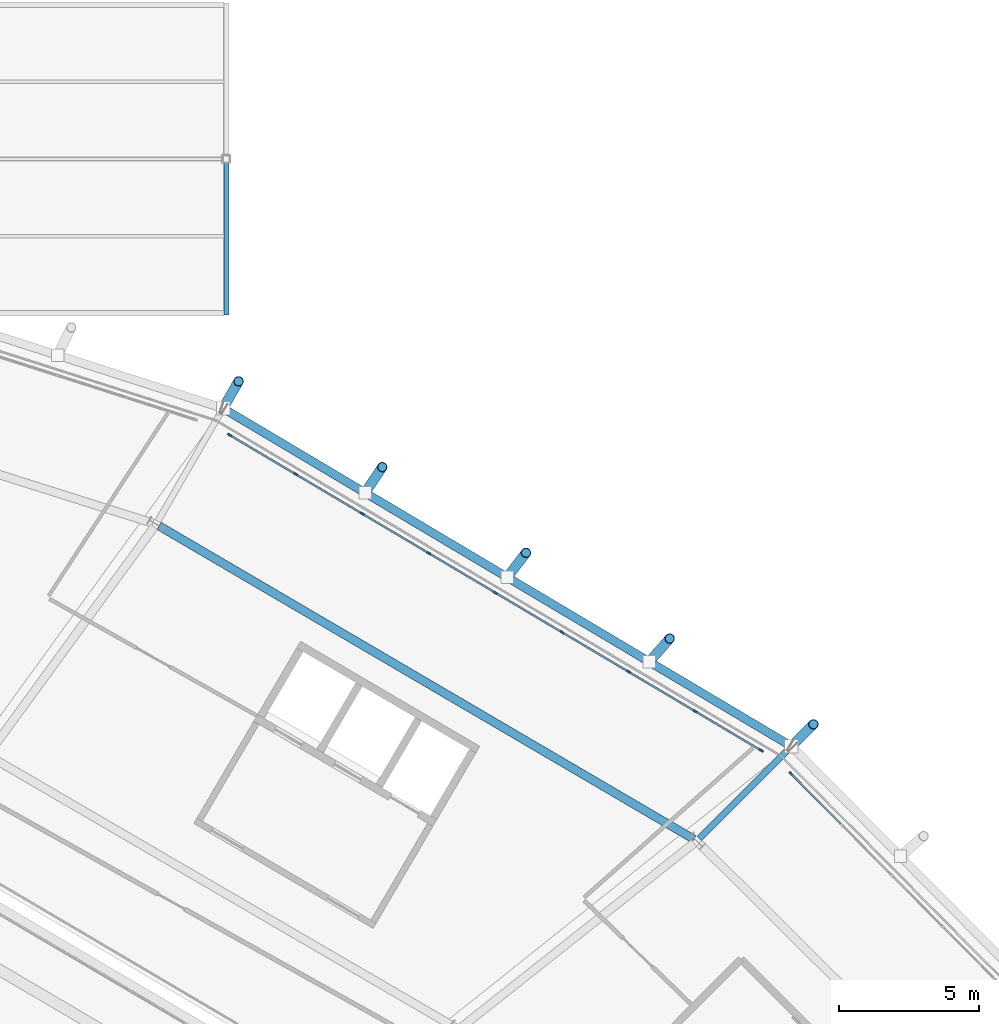
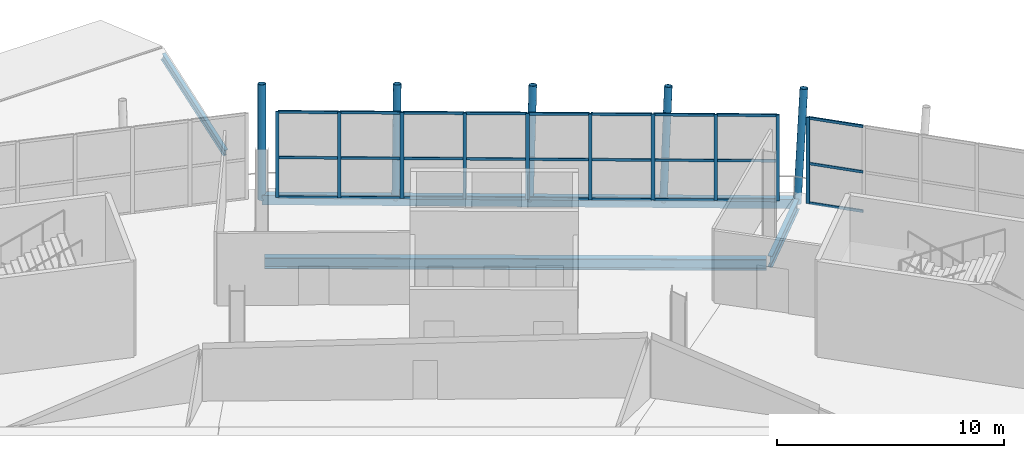
# One storey, part 60 of 126: 43 members, 3 beams, 2 elements without a shape of their own.
"""IFC4 building model written with IfcOpenShell, lengths in metres."""

from ifc_helpers import new_model, si_unit, direction, frame, origin, origin_2d, place, context, subcontext, project, spatial, rectangle, hollow_rectangle, hollow_circle, i_section, extrude, material, material_profile, profile_set, type_object, element, aggregate, save


model = new_model("IFC4")

# Units and contexts
model_context = context("Model", 3, precision=1e-05, world=origin(), true_north=direction((0.0, 1.0)))
body_context = subcontext(model_context, "Body", "Model", "MODEL_VIEW")
ifc_project = project(units=[si_unit("LENGTHUNIT", "METRE"), si_unit("AREAUNIT", "SQUARE_METRE"), si_unit("VOLUMEUNIT", "CUBIC_METRE"), si_unit("PLANEANGLEUNIT", "RADIAN"), si_unit("MASSUNIT", "GRAM", prefix="KILO")], contexts=[model_context])

# Site, building, storey
site_placement = place(None, origin())
site = spatial("IfcSite", under=ifc_project, at=site_placement, CompositionType="ELEMENT")
building_placement = place(site_placement, origin())
building = spatial("IfcBuilding", under=site, at=building_placement, Name="Zlatoyarsky Gate Stadium", CompositionType="ELEMENT")
storey_placement = place(building_placement, frame((0.0, 0.0, 20.800048828125)))
storey = spatial("IfcBuildingStorey", under=building, at=storey_placement, Name="L04", CompositionType="ELEMENT", Elevation=20.800048828125)

# Curtain wall, member
ifc_material_1 = material(Name="Thermally broken anodised aluminium curtain wall", Category="aluminium")
curtain_wall_type = type_object("IfcCurtainWallType", Name="UNITISED MEDIA RING GLAZING L04", PredefinedType="USERDEFINED", material=ifc_material_1)
curtain_wall_1_placement = place(storey_placement, origin())
curtain_wall_1 = element("IfcCurtainWall", 1, at=curtain_wall_1_placement, inside=storey, type_object=curtain_wall_type, Name="Curtain wall CW-L04-02", ObjectType="UNITISED GLAZING", PredefinedType="USERDEFINED")
ifc_material_2 = material(Name="Anodised aluminium 6063-T6", Category="aluminium")
ifc_material_profile_1 = material_profile(ifc_material_2, rectangle(XDim=0.06494140625, YDim=0.159912109375, at=origin_2d()), Name="ALU 65X160")
ifc_profile_set_1 = profile_set([ifc_material_profile_1], Name="Anodised aluminium 6063-T6")
member_type_1 = type_object("IfcMemberType", Name="ALUMINIUM MULLION 65X160", PredefinedType="MULLION", material=ifc_profile_set_1)
member_1_placement = place(storey_placement, frame((180.119384765625, 132.59765625, 0.0), z_axis=(0.0, 0.0, 1.0), x_axis=(-0.709870536386, -0.704332181269, 0.0)))
member_1 = element("IfcMember", 2, at=member_1_placement, type_object=member_type_1, Name="CW-UG4 mullion 9", PredefinedType="MULLION", context=body_context, shape_type="SweptSolid", body=[
    extrude(rectangle(XDim=0.06494140625, YDim=0.159912109375, at=origin_2d()), origin(), (0.0, 0.0, 1.0), 4.619873046875),
])

# Curtain wall, members
curtain_wall_2_placement = place(storey_placement, origin())
curtain_wall_2 = element("IfcCurtainWall", 3, at=curtain_wall_2_placement, inside=storey, type_object=curtain_wall_type, Name="Curtain wall CW-L04-03", ObjectType="UNITISED GLAZING", PredefinedType="USERDEFINED")
member_2_placement = place(storey_placement, frame((179.0517578125, 133.430419921875, 0.0), z_axis=(0.0, 0.0, 1.0), x_axis=(-0.510330476285, -0.859978374713, 0.0)))
member_2 = element("IfcMember", 4, at=member_2_placement, type_object=member_type_1, Name="CW-UG4 mullion 1", PredefinedType="MULLION", context=body_context, shape_type="SweptSolid", body=[
    extrude(rectangle(XDim=0.06494140625, YDim=0.159912109375, at=origin_2d()), origin(), (0.0, 0.0, 1.0), 4.619873046875),
])
member_3_placement = place(storey_placement, frame((176.706298828125, 134.822265625, 0.0), z_axis=(0.0, 0.0, 1.0), x_axis=(-0.510330476285, -0.859978374713, 0.0)))
member_3 = element("IfcMember", 5, at=member_3_placement, type_object=member_type_1, Name="CW-UG4 mullion 2", PredefinedType="MULLION", context=body_context, shape_type="SweptSolid", body=[
    extrude(rectangle(XDim=0.06494140625, YDim=0.159912109375, at=origin_2d()), origin(), (0.0, 0.0, 1.0), 4.619873046875),
])
member_4_placement = place(storey_placement, frame((174.333251953125, 136.23046875, 0.0), z_axis=(0.0, 0.0, 1.0), x_axis=(-0.510330476285, -0.859978374713, 0.0)))
member_4 = element("IfcMember", 6, at=member_4_placement, type_object=member_type_1, Name="CW-UG4 mullion 3", PredefinedType="MULLION", context=body_context, shape_type="SweptSolid", body=[
    extrude(rectangle(XDim=0.06494140625, YDim=0.159912109375, at=origin_2d()), origin(), (0.0, 0.0, 1.0), 4.619873046875),
])
member_5_placement = place(storey_placement, frame((171.9599609375, 137.638916015625, 0.0), z_axis=(0.0, 0.0, 1.0), x_axis=(-0.510330476285, -0.859978374713, 0.0)))
member_5 = element("IfcMember", 7, at=member_5_placement, type_object=member_type_1, Name="CW-UG4 mullion 4", PredefinedType="MULLION", context=body_context, shape_type="SweptSolid", body=[
    extrude(rectangle(XDim=0.06494140625, YDim=0.159912109375, at=origin_2d()), origin(), (0.0, 0.0, 1.0), 4.619873046875),
])
member_6_placement = place(storey_placement, frame((169.586669921875, 139.047119140625, 0.0), z_axis=(0.0, 0.0, 1.0), x_axis=(-0.510330476285, -0.859978374713, 0.0)))
member_6 = element("IfcMember", 8, at=member_6_placement, type_object=member_type_1, Name="CW-UG4 mullion 5", PredefinedType="MULLION", context=body_context, shape_type="SweptSolid", body=[
    extrude(rectangle(XDim=0.06494140625, YDim=0.159912109375, at=origin_2d()), origin(), (0.0, 0.0, 1.0), 4.619873046875),
])
member_7_placement = place(storey_placement, frame((167.21337890625, 140.45556640625, 0.0), z_axis=(0.0, 0.0, 1.0), x_axis=(-0.510330476285, -0.859978374713, 0.0)))
member_7 = element("IfcMember", 9, at=member_7_placement, type_object=member_type_1, Name="CW-UG4 mullion 6", PredefinedType="MULLION", context=body_context, shape_type="SweptSolid", body=[
    extrude(rectangle(XDim=0.06494140625, YDim=0.159912109375, at=origin_2d()), origin(), (0.0, 0.0, 1.0), 4.619873046875),
])
member_8_placement = place(storey_placement, frame((164.84033203125, 141.86376953125, 0.0), z_axis=(0.0, 0.0, 1.0), x_axis=(-0.510330476285, -0.859978374713, 0.0)))
member_8 = element("IfcMember", 10, at=member_8_placement, type_object=member_type_1, Name="CW-UG4 mullion 7", PredefinedType="MULLION", context=body_context, shape_type="SweptSolid", body=[
    extrude(rectangle(XDim=0.06494140625, YDim=0.159912109375, at=origin_2d()), origin(), (0.0, 0.0, 1.0), 4.619873046875),
])
member_9_placement = place(storey_placement, frame((162.467041015625, 143.272216796875, 0.0), z_axis=(0.0, 0.0, 1.0), x_axis=(-0.510330476285, -0.859978374713, 0.0)))
member_9 = element("IfcMember", 11, at=member_9_placement, type_object=member_type_1, Name="CW-UG4 mullion 8", PredefinedType="MULLION", context=body_context, shape_type="SweptSolid", body=[
    extrude(rectangle(XDim=0.06494140625, YDim=0.159912109375, at=origin_2d()), origin(), (0.0, 0.0, 1.0), 4.619873046875),
])
member_10_placement = place(storey_placement, frame((160.121826171875, 144.663818359375, 0.0), z_axis=(0.0, 0.0, 1.0), x_axis=(-0.510330476285, -0.859978374713, 0.0)))
member_10 = element("IfcMember", 12, at=member_10_placement, type_object=member_type_1, Name="CW-UG4 mullion 9", PredefinedType="MULLION", context=body_context, shape_type="SweptSolid", body=[
    extrude(rectangle(XDim=0.06494140625, YDim=0.159912109375, at=origin_2d()), origin(), (0.0, 0.0, 1.0), 4.619873046875),
])

# Member
ifc_material_profile_2 = material_profile(ifc_material_2, rectangle(XDim=0.06494140625, YDim=0.139892578125, at=origin_2d()), Name="ALU 65X140")
ifc_profile_set_2 = profile_set([ifc_material_profile_2], Name="Anodised aluminium 6063-T6")
member_type_2 = type_object("IfcMemberType", Name="ALUMINIUM TRANSOM 65X140", PredefinedType="USERDEFINED", material=ifc_profile_set_2)
member_11_placement = place(storey_placement, frame((181.88720703125, 130.815673828125, 0.032470703125), z_axis=(-0.704293097674, 0.709909312919, 0.0), x_axis=(-0.709909312919, -0.704293097674, 0.0)))
member_11 = element("IfcMember", 13, at=member_11_placement, type_object=member_type_2, Name="CW-UG4 transom 8.1", ObjectType="TRANSOM", PredefinedType="USERDEFINED", context=body_context, shape_type="SweptSolid", body=[
    extrude(rectangle(XDim=0.06494140625, YDim=0.139892578125, at=origin_2d()), origin(), (0.0, 0.0, 1.0), 2.477783203125),
])

member_12_placement = place(storey_placement, frame((181.88720703125, 130.815673828125, 2.14990234375), z_axis=(-0.704293097674, 0.709909312919, 0.0), x_axis=(-0.709909312919, -0.704293097674, 0.0)))
member_12 = element("IfcMember", 14, at=member_12_placement, type_object=member_type_2, Name="CW-UG4 transom 8.2", ObjectType="TRANSOM", PredefinedType="USERDEFINED", context=body_context, shape_type="SweptSolid", body=[
    extrude(rectangle(XDim=0.06494140625, YDim=0.139892578125, at=origin_2d()), origin(), (0.0, 0.0, 1.0), 2.477783203125),
])

member_13_placement = place(storey_placement, frame((181.88720703125, 130.815673828125, 4.58740234375), z_axis=(-0.704293097674, 0.709909312919, 0.0), x_axis=(-0.709909312919, -0.704293097674, 0.0)))
member_13 = element("IfcMember", 15, at=member_13_placement, type_object=member_type_2, Name="CW-UG4 transom 8.3", ObjectType="TRANSOM", PredefinedType="USERDEFINED", context=body_context, shape_type="SweptSolid", body=[
    extrude(rectangle(XDim=0.06494140625, YDim=0.139892578125, at=origin_2d()), origin(), (0.0, 0.0, 1.0), 2.477783203125),
])

aggregate(curtain_wall_1, [member_1, member_11, member_12, member_13])

member_14_placement = place(storey_placement, frame((179.023681640625, 133.447021484375, 0.032470703125), z_axis=(-0.859959148773, 0.510362873299, 0.0), x_axis=(-0.510362873299, -0.859959148773, 0.0)))
member_14 = element("IfcMember", 16, at=member_14_placement, type_object=member_type_2, Name="CW-UG4 transom 1.1", ObjectType="TRANSOM", PredefinedType="USERDEFINED", context=body_context, shape_type="SweptSolid", body=[
    extrude(rectangle(XDim=0.06494140625, YDim=0.139892578125, at=origin_2d()), origin(), (0.0, 0.0, 1.0), 2.662109375),
])

member_15_placement = place(storey_placement, frame((179.023681640625, 133.447021484375, 2.14990234375), z_axis=(-0.859959148773, 0.510362873299, 0.0), x_axis=(-0.510362873299, -0.859959148773, 0.0)))
member_15 = element("IfcMember", 17, at=member_15_placement, type_object=member_type_2, Name="CW-UG4 transom 1.2", ObjectType="TRANSOM", PredefinedType="USERDEFINED", context=body_context, shape_type="SweptSolid", body=[
    extrude(rectangle(XDim=0.06494140625, YDim=0.139892578125, at=origin_2d()), origin(), (0.0, 0.0, 1.0), 2.662109375),
])

member_16_placement = place(storey_placement, frame((179.023681640625, 133.447021484375, 4.58740234375), z_axis=(-0.859959148773, 0.510362873299, 0.0), x_axis=(-0.510362873299, -0.859959148773, 0.0)))
member_16 = element("IfcMember", 18, at=member_16_placement, type_object=member_type_2, Name="CW-UG4 transom 1.3", ObjectType="TRANSOM", PredefinedType="USERDEFINED", context=body_context, shape_type="SweptSolid", body=[
    extrude(rectangle(XDim=0.06494140625, YDim=0.139892578125, at=origin_2d()), origin(), (0.0, 0.0, 1.0), 2.662109375),
])

member_17_placement = place(storey_placement, frame((176.678466796875, 134.8388671875, 0.032470703125), z_axis=(-0.860008828809, 0.510279153377, 0.0), x_axis=(-0.510279153377, -0.860008828809, 0.0)))
member_17 = element("IfcMember", 19, at=member_17_placement, type_object=member_type_2, Name="CW-UG4 transom 2.1", ObjectType="TRANSOM", PredefinedType="USERDEFINED", context=body_context, shape_type="SweptSolid", body=[
    extrude(rectangle(XDim=0.06494140625, YDim=0.139892578125, at=origin_2d()), origin(), (0.0, 0.0, 1.0), 2.694580078125),
])

member_18_placement = place(storey_placement, frame((176.678466796875, 134.8388671875, 2.14990234375), z_axis=(-0.860008828809, 0.510279153377, 0.0), x_axis=(-0.510279153377, -0.860008828809, 0.0)))
member_18 = element("IfcMember", 20, at=member_18_placement, type_object=member_type_2, Name="CW-UG4 transom 2.2", ObjectType="TRANSOM", PredefinedType="USERDEFINED", context=body_context, shape_type="SweptSolid", body=[
    extrude(rectangle(XDim=0.06494140625, YDim=0.139892578125, at=origin_2d()), origin(), (0.0, 0.0, 1.0), 2.694580078125),
])

member_19_placement = place(storey_placement, frame((176.678466796875, 134.8388671875, 4.58740234375), z_axis=(-0.860008828809, 0.510279153377, 0.0), x_axis=(-0.510279153377, -0.860008828809, 0.0)))
member_19 = element("IfcMember", 21, at=member_19_placement, type_object=member_type_2, Name="CW-UG4 transom 2.3", ObjectType="TRANSOM", PredefinedType="USERDEFINED", context=body_context, shape_type="SweptSolid", body=[
    extrude(rectangle(XDim=0.06494140625, YDim=0.139892578125, at=origin_2d()), origin(), (0.0, 0.0, 1.0), 2.694580078125),
])

member_20_placement = place(storey_placement, frame((174.30517578125, 136.2470703125, 0.032470703125), z_axis=(-0.859969067163, 0.510346160486, 0.0), x_axis=(-0.510346160486, -0.859969067163, 0.0)))
member_20 = element("IfcMember", 22, at=member_20_placement, type_object=member_type_2, Name="CW-UG4 transom 3.1", ObjectType="TRANSOM", PredefinedType="USERDEFINED", context=body_context, shape_type="SweptSolid", body=[
    extrude(rectangle(XDim=0.06494140625, YDim=0.139892578125, at=origin_2d()), origin(), (0.0, 0.0, 1.0), 2.69482421875),
])

member_21_placement = place(storey_placement, frame((174.30517578125, 136.2470703125, 2.14990234375), z_axis=(-0.859969067163, 0.510346160486, 0.0), x_axis=(-0.510346160486, -0.859969067163, 0.0)))
member_21 = element("IfcMember", 23, at=member_21_placement, type_object=member_type_2, Name="CW-UG4 transom 3.2", ObjectType="TRANSOM", PredefinedType="USERDEFINED", context=body_context, shape_type="SweptSolid", body=[
    extrude(rectangle(XDim=0.06494140625, YDim=0.139892578125, at=origin_2d()), origin(), (0.0, 0.0, 1.0), 2.69482421875),
])

member_22_placement = place(storey_placement, frame((174.30517578125, 136.2470703125, 4.58740234375), z_axis=(-0.859969067163, 0.510346160486, 0.0), x_axis=(-0.510346160486, -0.859969067163, 0.0)))
member_22 = element("IfcMember", 24, at=member_22_placement, type_object=member_type_2, Name="CW-UG4 transom 3.3", ObjectType="TRANSOM", PredefinedType="USERDEFINED", context=body_context, shape_type="SweptSolid", body=[
    extrude(rectangle(XDim=0.06494140625, YDim=0.139892578125, at=origin_2d()), origin(), (0.0, 0.0, 1.0), 2.69482421875),
])

member_23_placement = place(storey_placement, frame((171.931884765625, 137.655517578125, 0.032470703125), z_axis=(-0.859985234265, 0.510318916803, 0.0), x_axis=(-0.510318916803, -0.859985234265, 0.0)))
member_23 = element("IfcMember", 25, at=member_23_placement, type_object=member_type_2, Name="CW-UG4 transom 4.1", ObjectType="TRANSOM", PredefinedType="USERDEFINED", context=body_context, shape_type="SweptSolid", body=[
    extrude(rectangle(XDim=0.06494140625, YDim=0.139892578125, at=origin_2d()), origin(), (0.0, 0.0, 1.0), 2.6943359375),
])

member_24_placement = place(storey_placement, frame((171.931884765625, 137.655517578125, 2.14990234375), z_axis=(-0.859985234265, 0.510318916803, 0.0), x_axis=(-0.510318916803, -0.859985234265, 0.0)))
member_24 = element("IfcMember", 26, at=member_24_placement, type_object=member_type_2, Name="CW-UG4 transom 4.2", ObjectType="TRANSOM", PredefinedType="USERDEFINED", context=body_context, shape_type="SweptSolid", body=[
    extrude(rectangle(XDim=0.06494140625, YDim=0.139892578125, at=origin_2d()), origin(), (0.0, 0.0, 1.0), 2.6943359375),
])

member_25_placement = place(storey_placement, frame((171.931884765625, 137.655517578125, 4.58740234375), z_axis=(-0.859985234265, 0.510318916803, 0.0), x_axis=(-0.510318916803, -0.859985234265, 0.0)))
member_25 = element("IfcMember", 27, at=member_25_placement, type_object=member_type_2, Name="CW-UG4 transom 4.3", ObjectType="TRANSOM", PredefinedType="USERDEFINED", context=body_context, shape_type="SweptSolid", body=[
    extrude(rectangle(XDim=0.06494140625, YDim=0.139892578125, at=origin_2d()), origin(), (0.0, 0.0, 1.0), 2.6943359375),
])

member_26_placement = place(storey_placement, frame((169.558837890625, 139.063720703125, 0.032470703125), z_axis=(-0.859969067163, 0.510346160486, 0.0), x_axis=(-0.510346160486, -0.859969067163, 0.0)))
member_26 = element("IfcMember", 28, at=member_26_placement, type_object=member_type_2, Name="CW-UG4 transom 5.1", ObjectType="TRANSOM", PredefinedType="USERDEFINED", context=body_context, shape_type="SweptSolid", body=[
    extrude(rectangle(XDim=0.06494140625, YDim=0.139892578125, at=origin_2d()), origin(), (0.0, 0.0, 1.0), 2.69482421875),
])

member_27_placement = place(storey_placement, frame((169.558837890625, 139.063720703125, 2.14990234375), z_axis=(-0.859969067163, 0.510346160486, 0.0), x_axis=(-0.510346160486, -0.859969067163, 0.0)))
member_27 = element("IfcMember", 29, at=member_27_placement, type_object=member_type_2, Name="CW-UG4 transom 5.2", ObjectType="TRANSOM", PredefinedType="USERDEFINED", context=body_context, shape_type="SweptSolid", body=[
    extrude(rectangle(XDim=0.06494140625, YDim=0.139892578125, at=origin_2d()), origin(), (0.0, 0.0, 1.0), 2.69482421875),
])

member_28_placement = place(storey_placement, frame((169.558837890625, 139.063720703125, 4.58740234375), z_axis=(-0.859969067163, 0.510346160486, 0.0), x_axis=(-0.510346160486, -0.859969067163, 0.0)))
member_28 = element("IfcMember", 30, at=member_28_placement, type_object=member_type_2, Name="CW-UG4 transom 5.3", ObjectType="TRANSOM", PredefinedType="USERDEFINED", context=body_context, shape_type="SweptSolid", body=[
    extrude(rectangle(XDim=0.06494140625, YDim=0.139892578125, at=origin_2d()), origin(), (0.0, 0.0, 1.0), 2.69482421875),
])

member_29_placement = place(storey_placement, frame((167.185546875, 140.47216796875, 0.032470703125), z_axis=(-0.860008828809, 0.510279153377, 0.0), x_axis=(-0.510279153377, -0.860008828809, 0.0)))
member_29 = element("IfcMember", 31, at=member_29_placement, type_object=member_type_2, Name="CW-UG4 transom 6.1", ObjectType="TRANSOM", PredefinedType="USERDEFINED", context=body_context, shape_type="SweptSolid", body=[
    extrude(rectangle(XDim=0.06494140625, YDim=0.139892578125, at=origin_2d()), origin(), (0.0, 0.0, 1.0), 2.694580078125),
])

member_30_placement = place(storey_placement, frame((167.185546875, 140.47216796875, 2.14990234375), z_axis=(-0.860008828809, 0.510279153377, 0.0), x_axis=(-0.510279153377, -0.860008828809, 0.0)))
member_30 = element("IfcMember", 32, at=member_30_placement, type_object=member_type_2, Name="CW-UG4 transom 6.2", ObjectType="TRANSOM", PredefinedType="USERDEFINED", context=body_context, shape_type="SweptSolid", body=[
    extrude(rectangle(XDim=0.06494140625, YDim=0.139892578125, at=origin_2d()), origin(), (0.0, 0.0, 1.0), 2.694580078125),
])

member_31_placement = place(storey_placement, frame((167.185546875, 140.47216796875, 4.58740234375), z_axis=(-0.860008828809, 0.510279153377, 0.0), x_axis=(-0.510279153377, -0.860008828809, 0.0)))
member_31 = element("IfcMember", 33, at=member_31_placement, type_object=member_type_2, Name="CW-UG4 transom 6.3", ObjectType="TRANSOM", PredefinedType="USERDEFINED", context=body_context, shape_type="SweptSolid", body=[
    extrude(rectangle(XDim=0.06494140625, YDim=0.139892578125, at=origin_2d()), origin(), (0.0, 0.0, 1.0), 2.694580078125),
])

member_32_placement = place(storey_placement, frame((164.812255859375, 141.88037109375, 0.032470703125), z_axis=(-0.859969067163, 0.510346160486, 0.0), x_axis=(-0.510346160486, -0.859969067163, 0.0)))
member_32 = element("IfcMember", 34, at=member_32_placement, type_object=member_type_2, Name="CW-UG4 transom 7.1", ObjectType="TRANSOM", PredefinedType="USERDEFINED", context=body_context, shape_type="SweptSolid", body=[
    extrude(rectangle(XDim=0.06494140625, YDim=0.139892578125, at=origin_2d()), origin(), (0.0, 0.0, 1.0), 2.69482421875),
])

member_33_placement = place(storey_placement, frame((164.812255859375, 141.88037109375, 2.14990234375), z_axis=(-0.859969067163, 0.510346160486, 0.0), x_axis=(-0.510346160486, -0.859969067163, 0.0)))
member_33 = element("IfcMember", 35, at=member_33_placement, type_object=member_type_2, Name="CW-UG4 transom 7.2", ObjectType="TRANSOM", PredefinedType="USERDEFINED", context=body_context, shape_type="SweptSolid", body=[
    extrude(rectangle(XDim=0.06494140625, YDim=0.139892578125, at=origin_2d()), origin(), (0.0, 0.0, 1.0), 2.69482421875),
])

member_34_placement = place(storey_placement, frame((164.812255859375, 141.88037109375, 4.58740234375), z_axis=(-0.859969067163, 0.510346160486, 0.0), x_axis=(-0.510346160486, -0.859969067163, 0.0)))
member_34 = element("IfcMember", 36, at=member_34_placement, type_object=member_type_2, Name="CW-UG4 transom 7.3", ObjectType="TRANSOM", PredefinedType="USERDEFINED", context=body_context, shape_type="SweptSolid", body=[
    extrude(rectangle(XDim=0.06494140625, YDim=0.139892578125, at=origin_2d()), origin(), (0.0, 0.0, 1.0), 2.69482421875),
])

member_35_placement = place(storey_placement, frame((162.43896484375, 143.288818359375, 0.032470703125), z_axis=(-0.859999398438, 0.5102950467, 0.0), x_axis=(-0.5102950467, -0.859999398438, 0.0)))
member_35 = element("IfcMember", 37, at=member_35_placement, type_object=member_type_2, Name="CW-UG4 transom 8.1", ObjectType="TRANSOM", PredefinedType="USERDEFINED", context=body_context, shape_type="SweptSolid", body=[
    extrude(rectangle(XDim=0.06494140625, YDim=0.139892578125, at=origin_2d()), origin(), (0.0, 0.0, 1.0), 2.661865234375),
])

member_36_placement = place(storey_placement, frame((162.43896484375, 143.288818359375, 2.14990234375), z_axis=(-0.859999398438, 0.5102950467, 0.0), x_axis=(-0.5102950467, -0.859999398438, 0.0)))
member_36 = element("IfcMember", 38, at=member_36_placement, type_object=member_type_2, Name="CW-UG4 transom 8.2", ObjectType="TRANSOM", PredefinedType="USERDEFINED", context=body_context, shape_type="SweptSolid", body=[
    extrude(rectangle(XDim=0.06494140625, YDim=0.139892578125, at=origin_2d()), origin(), (0.0, 0.0, 1.0), 2.661865234375),
])

member_37_placement = place(storey_placement, frame((162.43896484375, 143.288818359375, 4.58740234375), z_axis=(-0.859999398438, 0.5102950467, 0.0), x_axis=(-0.5102950467, -0.859999398438, 0.0)))
member_37 = element("IfcMember", 39, at=member_37_placement, type_object=member_type_2, Name="CW-UG4 transom 8.3", ObjectType="TRANSOM", PredefinedType="USERDEFINED", context=body_context, shape_type="SweptSolid", body=[
    extrude(rectangle(XDim=0.06494140625, YDim=0.139892578125, at=origin_2d()), origin(), (0.0, 0.0, 1.0), 2.661865234375),
])

aggregate(curtain_wall_2, [member_2, member_3, member_4, member_5, member_6, member_7, member_8, member_9, member_10, member_14, member_15, member_16, member_17, member_18, member_19, member_20, member_21, member_22, member_23, member_24, member_25, member_26, member_27, member_28, member_29, member_30, member_31, member_32, member_33, member_34, member_35, member_36, member_37])

# Beam
ifc_material_3 = material(Name="Steel S355", Category="steel")
ifc_material_profile_3 = material_profile(ifc_material_3, i_section(OverallWidth=0.219970703125, OverallDepth=0.60009765625, WebThickness=0.011962890625, FlangeThickness=0.01904296875, FilletRadius=0.02392578125, at=origin_2d()), Name="IPE 600")
ifc_profile_set_3 = profile_set([ifc_material_profile_3], Name="Steel S355")
beam_type_1 = type_object("IfcBeamType", Name="STEEL CANTILEVER FLOOR BEAM IPE 600", PredefinedType="BEAM", material=ifc_profile_set_3)
beam_1_placement = place(storey_placement, frame((176.845703125, 130.28955078125, -0.60009765625), z_axis=(0.707133034989, 0.70708052641, 0.0), x_axis=(-0.70708052641, 0.707133034989, 0.0)))
element("IfcBeam", 40, at=beam_1_placement, inside=storey, type_object=beam_type_1, Name="Beam B-IPE600 BM-L04-OUT-03", PredefinedType="BEAM", context=body_context, shape_type="SweptSolid", body=[
    extrude(i_section(OverallWidth=0.219970703125, OverallDepth=0.60009765625, WebThickness=0.011962890625, FlangeThickness=0.01904296875, FilletRadius=0.02392578125, at=origin_2d()), origin(), (0.0, 0.0, 1.0), 4.649658203125),
])

# Members
ifc_material_profile_4 = material_profile(ifc_material_3, hollow_circle(Radius=0.177734375, WallThickness=0.02001953125, at=origin_2d()), Name="CHS 355.6X20")
ifc_profile_set_4 = profile_set([ifc_material_profile_4], Name="Steel S355")
member_type_3 = type_object("IfcMemberType", Name="STEEL LEANING RIB RING STRUT CHS 355.6X20", PredefinedType="STRUT", material=ifc_profile_set_4)
for number, where, z_axis, x_axis, name in (
    (41, (180.133544921875, 133.5771484375, -0.60009765625), (0.141204793351, 0.141204793351, 0.979858363576), (-0.707106781187, 0.707106781187, 0.0), "Leaning ring strut 03 L04 to L05"),
    (42, (159.884765625, 145.618408203125, -0.60009765625), (0.09986826807, 0.172911505966, 0.979861184116), (-0.865943500606, 0.500141833641, 0.0), "Leaning ring strut 04 L04 to L05"),
):
    element("IfcMember", number, at=place(storey_placement, frame(where, z_axis=z_axis, x_axis=x_axis)), inside=storey, type_object=member_type_3, Name=name, PredefinedType="STRUT", context=body_context, shape_type="SweptSolid", body=[
        extrude(hollow_circle(Radius=0.177734375, WallThickness=0.02001953125, at=origin_2d()), origin(), (0.0, 0.0, 1.0), 5.5517578125),
    ])
member_38_placement = place(storey_placement, frame((175.0712890625, 136.58740234375, -0.550048828125), z_axis=(0.130904210433, 0.149158661821, 0.980110086314), x_axis=(-0.751601020667, 0.659617999854, 0.0)))
element("IfcMember", 43, at=member_38_placement, inside=storey, type_object=member_type_3, Name="Outward-leaning bowl louvre fin rib L04 03-1", PredefinedType="STRUT", context=body_context, shape_type="SweptSolid", body=[
    extrude(hollow_circle(Radius=0.177734375, WallThickness=0.02001953125, at=origin_2d()), origin(), (0.0, 0.0, 1.0), 5.55029296875),
])
member_39_placement = place(storey_placement, frame((170.00927734375, 139.597900390625, -0.550048828125), z_axis=(0.120534539078, 0.157090817171, 0.980200948811), x_axis=(-0.793366717572, 0.608743995001, 0.0)))
element("IfcMember", 44, at=member_39_placement, inside=storey, type_object=member_type_3, Name="Outward-leaning bowl louvre fin rib L04 03-2", PredefinedType="STRUT", context=body_context, shape_type="SweptSolid", body=[
    extrude(hollow_circle(Radius=0.177734375, WallThickness=0.02001953125, at=origin_2d()), origin(), (0.0, 0.0, 1.0), 5.5498046875),
])
member_40_placement = place(storey_placement, frame((164.947021484375, 142.608154296875, -0.550048828125), z_axis=(0.110187619691, 0.164995513557, 0.980119976826), x_axis=(-0.831606623216, 0.555365126941, 0.0)))
element("IfcMember", 45, at=member_40_placement, inside=storey, type_object=member_type_3, Name="Outward-leaning bowl louvre fin rib L04 03-3", PredefinedType="STRUT", context=body_context, shape_type="SweptSolid", body=[
    extrude(hollow_circle(Radius=0.177734375, WallThickness=0.02001953125, at=origin_2d()), origin(), (0.0, 0.0, 1.0), 5.55029296875),
])

# Beam
ifc_material_profile_5 = material_profile(ifc_material_3, hollow_rectangle(XDim=0.300048828125, YDim=0.5, WallThickness=0.02001953125, at=origin_2d()), Name="RHS 500X300X20")
ifc_profile_set_5 = profile_set([ifc_material_profile_5], Name="Steel S355")
beam_type_2 = type_object("IfcBeamType", Name="STEEL LOUVRE CARRIER SPANDREL RHS 500X300X20", PredefinedType="SPANDREL", material=ifc_profile_set_5)
beam_2_placement = place(storey_placement, frame((180.1162109375, 133.58740234375, -0.550048828125), z_axis=(-0.859506923216, 0.51112410327, 0.0), x_axis=(-0.51112410327, -0.859506923216, 0.0)))
element("IfcBeam", 46, at=beam_2_placement, inside=storey, type_object=beam_type_2, Name="Beam SP-RHS500 BM-L04-SPD-03", PredefinedType="SPANDREL", context=body_context, shape_type="SweptSolid", body=[
    extrude(hollow_rectangle(XDim=0.300048828125, YDim=0.5, WallThickness=0.02001953125, at=origin_2d()), origin(), (0.0, 0.0, 1.0), 23.518310546875),
])

# Member
ifc_material_profile_6 = material_profile(ifc_material_3, i_section(OverallWidth=0.179931640625, OverallDepth=0.39990234375, WebThickness=0.008544921875, FlangeThickness=0.013427734375, FilletRadius=0.02099609375, at=origin_2d()), Name="IPE 400")
ifc_profile_set_6 = profile_set([ifc_material_profile_6], Name="Steel S355")
member_type_4 = type_object("IfcMemberType", Name="STEEL PAVILION ROOF RAFTER IPE 400", PredefinedType="RAFTER", material=ifc_profile_set_6)
member_41_placement = place(storey_placement, frame((160.0, 149.0, -0.199951171875), z_axis=(0.0, 0.946779405011, 0.321883143776), x_axis=(-1.0, 0.0, 0.0)))
element("IfcMember", 47, at=member_41_placement, inside=storey, type_object=member_type_4, Name="V2_NORTH_E roof rafter 2A", PredefinedType="RAFTER", context=body_context, shape_type="SweptSolid", body=[
    extrude(i_section(OverallWidth=0.179931640625, OverallDepth=0.39990234375, WebThickness=0.008544921875, FlangeThickness=0.013427734375, FilletRadius=0.02099609375, at=origin_2d()), origin(), (0.0, 0.0, 1.0), 5.80908203125),
])

# Beam
ifc_material_profile_7 = material_profile(ifc_material_3, i_section(OverallWidth=0.300048828125, OverallDepth=0.60009765625, WebThickness=0.015380859375, FlangeThickness=0.030029296875, FilletRadius=0.027099609375, at=origin_2d()), Name="HEB 600")
ifc_profile_set_7 = profile_set([ifc_material_profile_7], Name="Steel S355")
beam_type_3 = type_object("IfcBeamType", Name="STEEL PRIMARY GIRDER HEB 600", PredefinedType="BEAM", material=ifc_profile_set_7)
beam_3_placement = place(storey_placement, frame((176.657470703125, 130.265380859375, -0.60009765625), z_axis=(-0.862854775092, 0.505451913738, 0.0), x_axis=(-0.505451913738, -0.862854775092, 0.0)))
element("IfcBeam", 48, at=beam_3_placement, inside=storey, type_object=beam_type_3, Name="Beam G-HEB600 BM-L04-CRC-03", PredefinedType="BEAM", context=body_context, shape_type="SweptSolid", body=[
    extrude(i_section(OverallWidth=0.300048828125, OverallDepth=0.60009765625, WebThickness=0.015380859375, FlangeThickness=0.030029296875, FilletRadius=0.027099609375, at=origin_2d()), origin(), (0.0, 0.0, 1.0), 22.08251953125),
])

save(model, "model.ifc")
